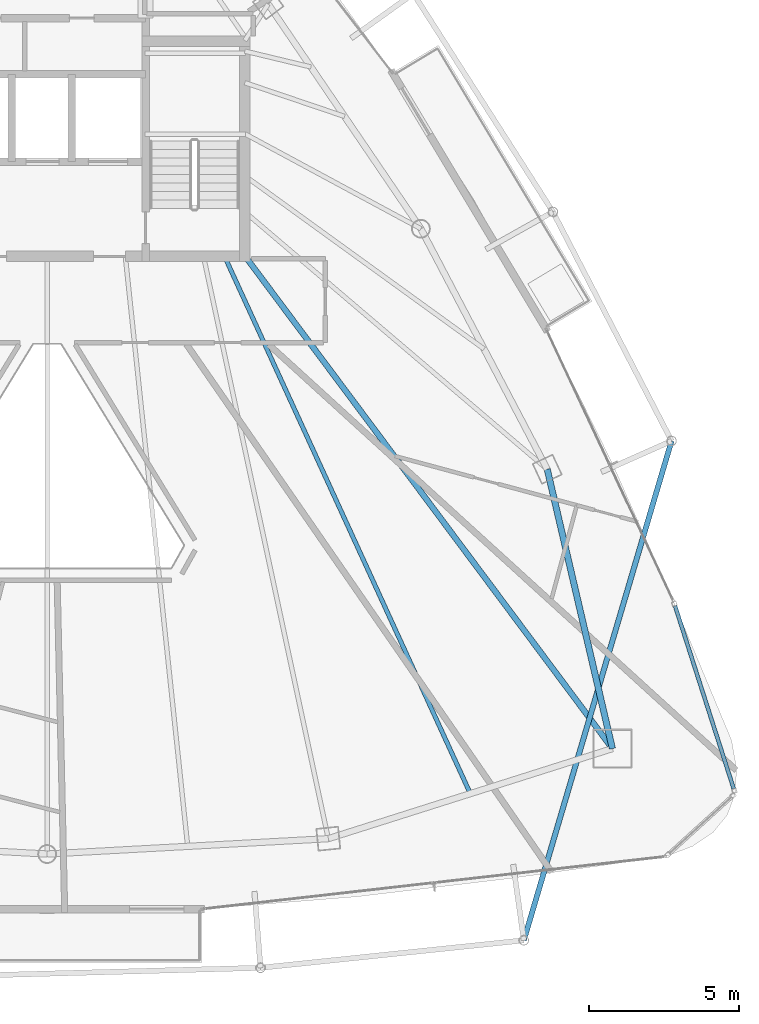
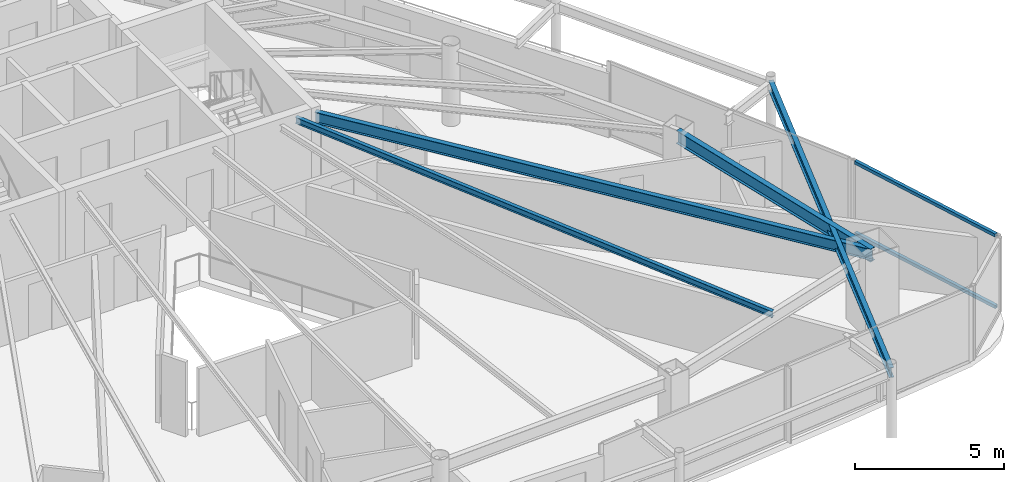
# One storey, part 16 of 30: 4 beams, 2 members, 1 element without a shape of its own.
"""IFC4 building model written with IfcOpenShell, lengths in metres."""

from ifc_helpers import new_model, si_unit, direction, frame, origin, origin_2d, place, context, subcontext, project, spatial, hollow_rectangle, i_section, extrude, material, layer, layer_set, material_profile, profile_set, type_object, element, aggregate, save


model = new_model("IFC4")

# Units and contexts
model_context = context("Model", 3, precision=1e-05, world=origin(), true_north=direction((0.0, 1.0)))
body_context = subcontext(model_context, "Body", "Model", "MODEL_VIEW")
ifc_project = project(units=[si_unit("LENGTHUNIT", "METRE"), si_unit("AREAUNIT", "SQUARE_METRE"), si_unit("VOLUMEUNIT", "CUBIC_METRE"), si_unit("PLANEANGLEUNIT", "RADIAN"), si_unit("MASSUNIT", "GRAM", prefix="KILO")], contexts=[model_context])

# Site, building, storey
site_placement = place(None, origin())
site = spatial("IfcSite", under=ifc_project, at=site_placement, CompositionType="ELEMENT")
building_placement = place(site_placement, origin())
building = spatial("IfcBuilding", under=site, at=building_placement, Name="Orvanel Arch Residences", CompositionType="ELEMENT")
storey_placement = place(building_placement, frame((0.0, 0.0, 229.39990234375)))
storey = spatial("IfcBuildingStorey", under=building, at=storey_placement, Name="L65", CompositionType="ELEMENT", Elevation=229.39990234375)

# Beams
ifc_material_1 = material(Name="Structural steel AS/NZS 3679.1 Grade 300 (300 MPa)", Category="steel")
ifc_material_profile_1 = material_profile(ifc_material_1, i_section(OverallWidth=0.19091796875, OverallDepth=0.4599609375, WebThickness=0.010009765625, FlangeThickness=0.01611328125, at=origin_2d()), Name="460UB82.1")
ifc_profile_set_1 = profile_set([ifc_material_profile_1], Name="Structural steel AS/NZS 3679.1 Grade 300 (300 MPa)")
beam_type_1 = type_object("IfcBeamType", Name="BG-460UB", PredefinedType="BEAM", material=ifc_profile_set_1)
beam_1_placement = place(storey_placement, frame((39.625, 26.675048828125, 2.830078125), z_axis=(0.597893733742, -0.801575375839, 0.0), x_axis=(0.801575375839, 0.597893733742, 0.0)))
element("IfcBeam", 1, at=beam_1_placement, inside=storey, type_object=beam_type_1, Name="L65 South-East Radial Girder", PredefinedType="BEAM", context=body_context, shape_type="SweptSolid", body=[
    extrude(i_section(OverallWidth=0.19091796875, OverallDepth=0.4599609375, WebThickness=0.010009765625, FlangeThickness=0.01611328125, at=origin_2d()), origin(), (0.0, 0.0, 1.0), 20.36474609375),
])
ifc_material_profile_2 = material_profile(ifc_material_1, i_section(OverallWidth=0.14599609375, OverallDepth=0.251953125, WebThickness=0.006103515625, FlangeThickness=0.008544921875, at=origin_2d()), Name="250UB31.4")
ifc_profile_set_2 = profile_set([ifc_material_profile_2], Name="Structural steel AS/NZS 3679.1 Grade 300 (300 MPa)")
beam_type_2 = type_object("IfcBeamType", Name="BJ-250UB", PredefinedType="JOIST", material=ifc_profile_set_2)
beam_2_placement = place(storey_placement, frame((38.89990234375, 26.72509765625, 2.93408203125), z_axis=(0.416009574066, -0.909360233508, 0.0), x_axis=(0.909360233508, 0.416009574066, 0.0)))
element("IfcBeam", 2, at=beam_2_placement, inside=storey, type_object=beam_type_2, Name="L65 JADD2 Wing Floor Joist", PredefinedType="JOIST", context=body_context, shape_type="SweptSolid", body=[
    extrude(i_section(OverallWidth=0.14599609375, OverallDepth=0.251953125, WebThickness=0.006103515625, FlangeThickness=0.008544921875, at=origin_2d()), origin(), (0.0, 0.0, 1.0), 19.653564453125),
])
ifc_material_profile_3 = material_profile(ifc_material_1, i_section(OverallWidth=0.177978515625, OverallDepth=0.406005859375, WebThickness=0.0078125, FlangeThickness=0.0126953125, at=origin_2d()), Name="410UB59.7")
ifc_profile_set_3 = profile_set([ifc_material_profile_3], Name="Structural steel AS/NZS 3679.1 Grade 300 (300 MPa)")
beam_type_3 = type_object("IfcBeamType", Name="OB-410UB-EXT", PredefinedType="SPANDREL", material=ifc_profile_set_3)
beam_3_placement = place(storey_placement, frame((48.85498046875, 3.97412109375, 2.857177734375), z_axis=(0.283644871246, 0.958929396262, 0.0), x_axis=(-0.958929396262, 0.283644871246, 0.0)))
element("IfcBeam", 3, at=beam_3_placement, inside=storey, type_object=beam_type_3, Name="L65 Outer Perimeter Floor Ring Beam 08", PredefinedType="SPANDREL", context=body_context, shape_type="SweptSolid", body=[
    extrude(i_section(OverallWidth=0.177978515625, OverallDepth=0.406005859375, WebThickness=0.0078125, FlangeThickness=0.0126953125, at=origin_2d()), origin(), (0.0, 0.0, 1.0), 17.3212890625),
])
ifc_material_profile_4 = material_profile(ifc_material_1, i_section(OverallWidth=0.208984375, OverallDepth=0.532958984375, WebThickness=0.01025390625, FlangeThickness=0.015625, at=origin_2d()), Name="530UB92.4")
ifc_profile_set_4 = profile_set([ifc_material_profile_4], Name="Structural steel AS/NZS 3679.1 Grade 300 (300 MPa)")
beam_type_4 = type_object("IfcBeamType", Name="SP-530UB", PredefinedType="SPANDREL", material=ifc_profile_set_4)
beam_4_placement = place(storey_placement, frame((51.801025390625, 10.35107421875, 2.794189453125), z_axis=(-0.227236087167, 0.973839699688, 0.0), x_axis=(-0.973839699688, -0.227236087167, 0.0)))
element("IfcBeam", 4, at=beam_4_placement, inside=storey, type_object=beam_type_4, Name="L65 Perimeter Spandrel Beam 06", PredefinedType="SPANDREL", context=body_context, shape_type="SweptSolid", body=[
    extrude(i_section(OverallWidth=0.208984375, OverallDepth=0.532958984375, WebThickness=0.01025390625, FlangeThickness=0.015625, at=origin_2d()), origin(), (0.0, 0.0, 1.0), 9.54052734375),
])

# Curtain wall, members
ifc_material_2 = material(Name="Bronze-anodised aluminium AA6063-T6", Category="aluminium")
ifc_layer = layer(ifc_material_2, 0.18994140625)
ifc_layer_set = layer_set([ifc_layer], Name="Bronze-anodised aluminium AA6063-T6")
curtain_wall_type = type_object("IfcCurtainWallType", Name="CW5-CRN-SYS", PredefinedType="NOTDEFINED", material=ifc_layer_set)
curtain_wall_placement = place(storey_placement, origin())
curtain_wall = element("IfcCurtainWall", 5, at=curtain_wall_placement, inside=storey, type_object=curtain_wall_type, Name="L65 CW5-CRN-SYS Unitised Curtain Wall", PredefinedType="NOTDEFINED")
ifc_material_profile_5 = material_profile(ifc_material_2, hollow_rectangle(XDim=0.1298828125, YDim=0.1298828125, WallThickness=0.00439453125, at=origin_2d()), Name="ALU130x130x4.5")
ifc_profile_set_5 = profile_set([ifc_material_profile_5], Name="Bronze-anodised aluminium AA6063-T6")
member_type = type_object("IfcMemberType", Name="TRN-130x130", PredefinedType="USERDEFINED", material=ifc_profile_set_5)
member_1_placement = place(storey_placement, frame((55.835205078125, 9.017822265625, 0.065185546875), z_axis=(-0.305587141492, 0.952164113457, 0.0), x_axis=(-0.952164113457, -0.305587141492, 0.0)))
member_1 = element("IfcMember", 6, at=member_1_placement, type_object=member_type, Name="CW-S5 transom 1.1", ObjectType="TRANSOM", PredefinedType="USERDEFINED", context=body_context, shape_type="SweptSolid", body=[
    extrude(hollow_rectangle(XDim=0.1298828125, YDim=0.1298828125, WallThickness=0.00439453125, at=origin_2d()), origin(), (0.0, 0.0, 1.0), 6.3857421875),
])
member_2_placement = place(storey_placement, frame((55.835205078125, 9.017822265625, 2.9951171875), z_axis=(-0.305587141492, 0.952164113457, 0.0), x_axis=(-0.952164113457, -0.305587141492, 0.0)))
member_2 = element("IfcMember", 7, at=member_2_placement, type_object=member_type, Name="CW-S5 transom 1.2", ObjectType="TRANSOM", PredefinedType="USERDEFINED", context=body_context, shape_type="SweptSolid", body=[
    extrude(hollow_rectangle(XDim=0.1298828125, YDim=0.1298828125, WallThickness=0.00439453125, at=origin_2d()), origin(), (0.0, 0.0, 1.0), 6.3857421875),
])
aggregate(curtain_wall, [member_1, member_2])

save(model, "model.ifc")
